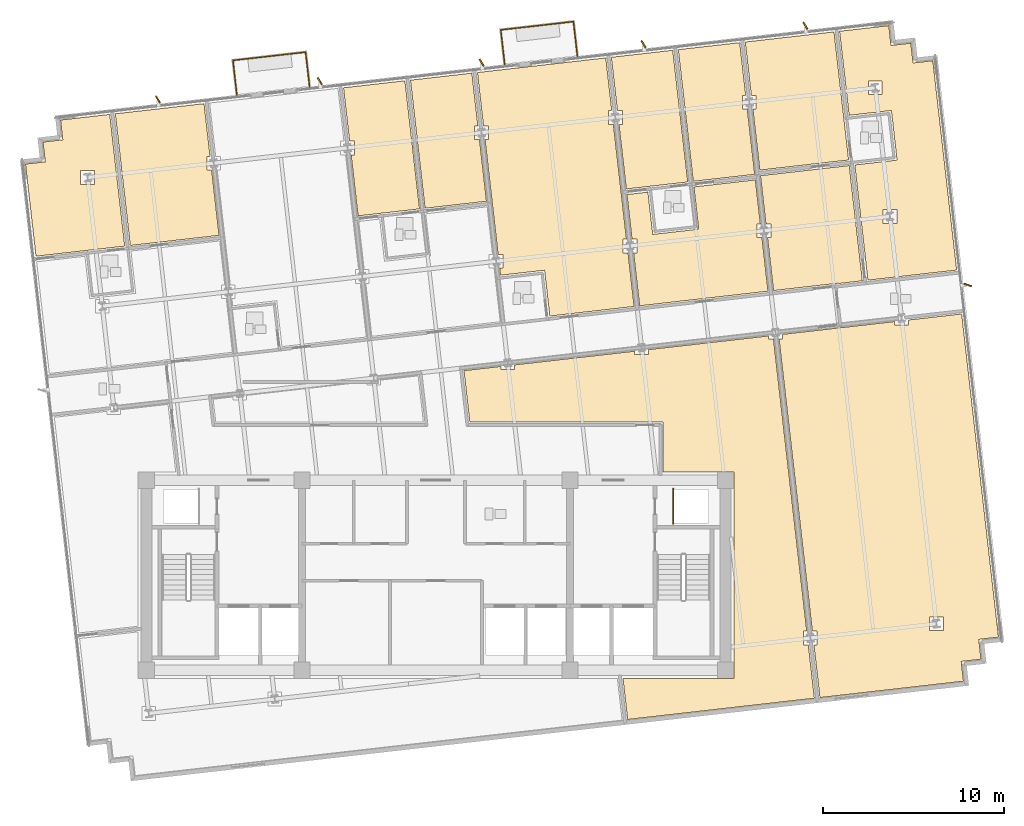
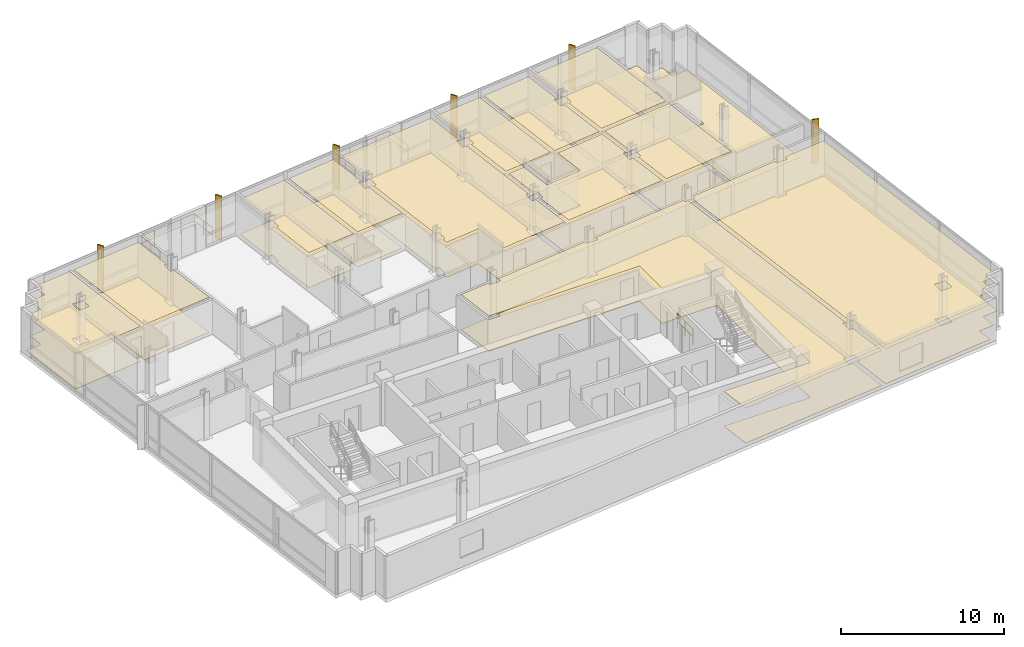
# One storey, part 15 of 17: 25 coverings, 7 railings, 6 shading devices.
"""IFC4 building model written with IfcOpenShell, lengths in metres."""

from ifc_helpers import new_model, si_unit, direction, frame, origin, origin_2d, place, context, subcontext, project, spatial, polyline, rectangle, circle, outline, extrude, material, layer, layer_set, type_object, element, save


model = new_model("IFC4")

# Units and contexts
model_context = context("Model", 3, precision=1e-05, world=origin(), true_north=direction((0.0, 1.0)))
body_context = subcontext(model_context, "Body", "Model", "MODEL_VIEW")
ifc_project = project(units=[si_unit("LENGTHUNIT", "METRE"), si_unit("AREAUNIT", "SQUARE_METRE"), si_unit("VOLUMEUNIT", "CUBIC_METRE"), si_unit("PLANEANGLEUNIT", "RADIAN"), si_unit("MASSUNIT", "GRAM", prefix="KILO")], contexts=[model_context])

# Site, building, storey
site_placement = place(None, origin())
site = spatial("IfcSite", under=ifc_project, at=site_placement, CompositionType="ELEMENT")
building_placement = place(site_placement, origin())
building = spatial("IfcBuilding", under=site, at=building_placement, Name="Solmavex Isthmus Hotel", CompositionType="ELEMENT")
storey_placement = place(building_placement, frame((0.0, 0.0, 195.14990234375)))
storey = spatial("IfcBuildingStorey", under=building, at=storey_placement, Name="L52", CompositionType="ELEMENT", Elevation=195.14990234375)

# Coverings
ifc_material_1 = material(Name="Gypsum plasterboard lining", Category="gypsum")
ifc_layer_1 = layer(ifc_material_1, 0.030029296875)
ifc_layer_set_1 = layer_set([ifc_layer_1], Name="Gypsum plasterboard lining")
covering_type_1 = type_object("IfcCoveringType", Name="COV-CEIL-GYP", PredefinedType="CEILING", material=ifc_layer_set_1)
covering_1_placement = place(storey_placement, frame((0.0, 0.0, 2.6201171875)))
element("IfcCovering", 1, at=covering_1_placement, inside=storey, type_object=covering_type_1, Name="Suspended Acoustic Ceiling L52-HB01", PredefinedType="CEILING", context=body_context, shape_type="SweptSolid", body=[
    extrude(outline(polyline([(-22.677001953125, 14.966552734375), (-22.58349609375, 14.146728515625), (-22.09716796875, 9.87744140625), (-17.19482421875, 10.435791015625), (-18.023681640625, 17.7109375), (-19.92041015625, 17.49462890625), (-20.740234375, 17.4013671875), (-20.615478515625, 16.308349609375), (-21.70849609375, 16.183837890625), (-21.583984375, 15.091064453125), (-22.677001953125, 14.966552734375)]), holes=[polyline([(-19.6259765625, 13.844970703125), (-19.6259765625, 14.60498046875), (-18.865966796875, 14.60498046875), (-18.865966796875, 13.844970703125), (-19.6259765625, 13.844970703125)])]), origin(), (0.0, 0.0, 1.0), 0.030029296875),
])
covering_2_placement = place(storey_placement, frame((0.0, 0.0, 2.6201171875)))
element("IfcCovering", 2, at=covering_2_placement, inside=storey, type_object=covering_type_1, Name="Suspended Acoustic Ceiling L52-HP01", PredefinedType="CEILING", context=body_context, shape_type="SweptSolid", body=[
    extrude(outline(polyline([(-12.395751953125, 14.638427734375), (-12.6630859375, 14.638427734375), (-12.6630859375, 15.3984375), (-12.482421875, 15.3984375), (-12.8134765625, 18.304443359375), (-17.715576171875, 17.745849609375), (-16.88671875, 10.470947265625), (-11.984619140625, 11.029541015625), (-12.395751953125, 14.638427734375)])), origin(), (0.0, 0.0, 1.0), 0.030029296875),
])
covering_3_placement = place(storey_placement, frame((0.0, 0.0, 2.6201171875)))
element("IfcCovering", 3, at=covering_3_placement, inside=storey, type_object=covering_type_1, Name="Suspended Acoustic Ceiling L52-TB03", PredefinedType="CEILING", context=body_context, shape_type="SweptSolid", body=[
    extrude(outline(polyline([(-4.772216796875, 16.2412109375), (-4.5048828125, 16.2412109375), (-4.5048828125, 15.481201171875), (-4.685546875, 15.481201171875), (-4.301025390625, 12.106201171875), (-0.909912109375, 12.49267578125), (-1.71630859375, 19.56884765625), (-5.107177734375, 19.182373046875), (-4.772216796875, 16.2412109375)])), origin(), (0.0, 0.0, 1.0), 0.030029296875),
])
covering_4_placement = place(storey_placement, frame((0.0, 0.0, 2.6201171875)))
element("IfcCovering", 4, at=covering_4_placement, inside=storey, type_object=covering_type_1, Name="Suspended Acoustic Ceiling L52-TL03", PredefinedType="CEILING", context=body_context, shape_type="SweptSolid", body=[
    extrude(outline(polyline([(2.400634765625, 16.32421875), (2.13330078125, 16.32421875), (2.13330078125, 17.084228515625), (2.31396484375, 17.084228515625), (1.98291015625, 19.990234375), (-1.408203125, 19.60400390625), (-0.60205078125, 12.52783203125), (2.7890625, 12.9140625), (2.400634765625, 16.32421875)])), origin(), (0.0, 0.0, 1.0), 0.030029296875),
])
covering_5_placement = place(storey_placement, frame((0.0, 0.0, 2.6201171875)))
element("IfcCovering", 5, at=covering_5_placement, inside=storey, type_object=covering_type_1, Name="Suspended Acoustic Ceiling L52-RM04", PredefinedType="CEILING", context=body_context, shape_type="SweptSolid", body=[
    extrude(outline(polyline([(3.435546875, 9.978271484375), (3.702880859375, 9.978271484375), (3.702880859375, 9.21826171875), (3.522216796875, 9.21826171875), (3.566650390625, 8.827880859375), (6.0009765625, 9.105224609375), (6.28955078125, 6.571533203125), (10.945556640625, 7.10205078125), (10.6083984375, 10.06103515625), (10.341064453125, 10.06103515625), (10.341064453125, 10.821044921875), (10.521728515625, 10.821044921875), (9.798583984375, 17.167236328125), (9.531494140625, 17.167236328125), (9.531494140625, 17.92724609375), (9.712158203125, 17.92724609375), (9.381103515625, 20.833251953125), (2.290771484375, 20.025390625), (2.6259765625, 17.084228515625), (2.893310546875, 17.084228515625), (2.893310546875, 16.32421875), (2.712646484375, 16.32421875), (3.435546875, 9.978271484375)])), origin(), (0.0, 0.0, 1.0), 0.030029296875),
])
covering_6_placement = place(storey_placement, frame((0.0, 0.0, 2.6201171875)))
element("IfcCovering", 6, at=covering_6_placement, inside=storey, type_object=covering_type_1, Name="Suspended Acoustic Ceiling L52-SH05-LV", PredefinedType="CEILING", context=body_context, shape_type="SweptSolid", body=[
    extrude(outline(polyline([(18.006591796875, 10.904052734375), (17.7392578125, 10.904052734375), (17.7392578125, 11.6640625), (17.919921875, 11.6640625), (17.64306640625, 14.09326171875), (14.251953125, 13.706787109375), (14.51806640625, 11.371826171875), (11.974609375, 11.08203125), (11.70849609375, 13.4169921875), (10.552978515625, 13.285400390625), (10.833740234375, 10.821044921875), (11.10107421875, 10.821044921875), (11.10107421875, 10.06103515625), (10.92041015625, 10.06103515625), (11.25341796875, 7.13720703125), (18.343505859375, 7.945068359375), (18.006591796875, 10.904052734375)])), origin(), (0.0, 0.0, 1.0), 0.030029296875),
])
covering_7_placement = place(storey_placement, frame((0.0, 0.0, 2.6201171875)))
element("IfcCovering", 7, at=covering_7_placement, inside=storey, type_object=covering_type_1, Name="Suspended Acoustic Ceiling L52-HB05", PredefinedType="CEILING", context=body_context, shape_type="SweptSolid", body=[
    extrude(outline(polyline([(10.024169921875, 17.92724609375), (10.29150390625, 17.92724609375), (10.29150390625, 17.167236328125), (10.110595703125, 17.167236328125), (10.517822265625, 13.59326171875), (13.908935546875, 13.979736328125), (13.080078125, 21.254638671875), (9.68896484375, 20.868408203125), (10.024169921875, 17.92724609375)])), origin(), (0.0, 0.0, 1.0), 0.030029296875),
])
covering_8_placement = place(storey_placement, frame((0.0, 0.0, 2.6201171875)))
element("IfcCovering", 8, at=covering_8_placement, inside=storey, type_object=covering_type_1, Name="Suspended Acoustic Ceiling L52-HP05", PredefinedType="CEILING", context=body_context, shape_type="SweptSolid", body=[
    extrude(outline(polyline([(17.19677734375, 18.010009765625), (16.929443359375, 18.010009765625), (16.929443359375, 18.77001953125), (17.1103515625, 18.77001953125), (16.779052734375, 21.676025390625), (13.38818359375, 21.289794921875), (14.217041015625, 14.014892578125), (17.60791015625, 14.401123046875), (17.19677734375, 18.010009765625)])), origin(), (0.0, 0.0, 1.0), 0.030029296875),
])
covering_9_placement = place(storey_placement, frame((0.0, 0.0, 2.6201171875)))
element("IfcCovering", 9, at=covering_9_placement, inside=storey, type_object=covering_type_1, Name="Suspended Acoustic Ceiling L52-SL06-FY", PredefinedType="CEILING", context=body_context, shape_type="SweptSolid", body=[
    extrude(outline(polyline([(18.23193359375, 11.6640625), (18.499267578125, 11.6640625), (18.499267578125, 10.904052734375), (18.318359375, 10.904052734375), (18.651611328125, 7.97998046875), (22.228515625, 8.3876953125), (22.230712890625, 8.36767578125), (23.55615234375, 8.518798828125), (22.830810546875, 14.885498046875), (17.928466796875, 14.326904296875), (18.17626953125, 12.15185546875), (18.23193359375, 11.6640625)])), origin(), (0.0, 0.0, 1.0), 0.030029296875),
])
covering_10_placement = place(storey_placement, frame((0.0, 0.0, 2.6201171875)))
element("IfcCovering", 10, at=covering_10_placement, inside=storey, type_object=covering_type_1, Name="Suspended Acoustic Ceiling L52-SL06-BD", PredefinedType="CEILING", context=body_context, shape_type="SweptSolid", body=[
    extrude(outline(polyline([(17.42236328125, 18.77001953125), (17.689453125, 18.77001953125), (17.689453125, 18.010009765625), (17.5087890625, 18.010009765625), (17.893310546875, 14.635009765625), (22.795654296875, 15.193603515625), (21.989501953125, 22.269775390625), (17.087158203125, 21.711181640625), (17.42236328125, 18.77001953125)])), origin(), (0.0, 0.0, 1.0), 0.030029296875),
])
covering_11_placement = place(storey_placement, frame((0.0, 0.0, 2.6201171875)))
element("IfcCovering", 11, at=covering_11_placement, inside=storey, type_object=covering_type_1, Name="Suspended Acoustic Ceiling L52-FL12", PredefinedType="CEILING", context=body_context, shape_type="SweptSolid", body=[
    extrude(outline(polyline([(4.34228515625, 3.873779296875), (4.34228515625, 3.6064453125), (3.582275390625, 3.6064453125), (3.582275390625, 3.787109375), (1.547607421875, 3.555419921875), (1.872314453125, 0.705078125), (12.554931640625, 0.705078125), (12.554931640625, -2.044921875), (16.455078125, -2.044921875), (16.455078125, -13.455078125), (10.332763671875, -13.455078125), (10.590087890625, -15.71484375), (17.361328125, -14.943359375), (20.905517578125, -14.53955078125), (20.5703125, -11.598388671875), (20.302978515625, -11.598388671875), (20.302978515625, -10.83837890625), (20.483642578125, -10.83837890625), (18.645751953125, 5.292236328125), (18.378662109375, 5.292236328125), (18.378662109375, 5.472900390625), (11.740478515625, 4.716796875), (11.740478515625, 4.449462890625), (10.98046875, 4.449462890625), (10.98046875, 4.630126953125), (4.34228515625, 3.873779296875)])), origin(), (0.0, 0.0, 1.0), 0.030029296875),
])
covering_12_placement = place(storey_placement, frame((0.0, 0.0, 2.6201171875)))
element("IfcCovering", 12, at=covering_12_placement, inside=storey, type_object=covering_type_1, Name="Suspended Acoustic Ceiling L52-FL13", PredefinedType="CEILING", context=body_context, shape_type="SweptSolid", body=[
    extrude(outline(polyline([(20.795654296875, -10.83837890625), (21.06298828125, -10.83837890625), (21.06298828125, -11.598388671875), (20.88232421875, -11.598388671875), (21.21337890625, -14.50439453125), (28.3203125, -13.69482421875), (29.14013671875, -13.601318359375), (29.015625, -12.50830078125), (30.108642578125, -12.3837890625), (29.98388671875, -11.291015625), (31.076904296875, -11.16650390625), (30.983642578125, -10.3466796875), (29.042724609375, 6.68798828125), (26.1015625, 6.35302734375), (26.1015625, 6.085693359375), (25.341552734375, 6.085693359375), (25.341552734375, 6.266357421875), (19.138427734375, 5.5595703125), (19.138427734375, 5.292236328125), (18.957763671875, 5.292236328125), (20.795654296875, -10.83837890625)]), holes=[polyline([(27.265869140625, -10.80517578125), (27.265869140625, -10.045166015625), (28.02587890625, -10.045166015625), (28.02587890625, -10.80517578125), (27.265869140625, -10.80517578125)])]), origin(), (0.0, 0.0, 1.0), 0.030029296875),
])
ifc_material_2 = material(Name="Travertine natural stone", Category="masonry")
ifc_layer_2 = layer(ifc_material_2, 0.02490234375)
ifc_layer_set_2 = layer_set([ifc_layer_2], Name="Travertine natural stone")
covering_type_2 = type_object("IfcCoveringType", Name="COV-FLOR-STN", PredefinedType="FLOORING", material=ifc_layer_set_2)
covering_13_placement = place(storey_placement, origin())
element("IfcCovering", 13, at=covering_13_placement, inside=storey, type_object=covering_type_2, Name="Stone and Timber Floor Finish L52-HB01", PredefinedType="FLOORING", context=body_context, shape_type="SweptSolid", body=[
    extrude(outline(polyline([(-22.677001953125, 14.966552734375), (-22.58349609375, 14.146728515625), (-22.09716796875, 9.87744140625), (-17.19482421875, 10.435791015625), (-18.023681640625, 17.7109375), (-19.92041015625, 17.49462890625), (-20.740234375, 17.4013671875), (-20.615478515625, 16.308349609375), (-21.70849609375, 16.183837890625), (-21.583984375, 15.091064453125), (-22.677001953125, 14.966552734375)]), holes=[polyline([(-19.6259765625, 13.844970703125), (-19.6259765625, 14.60498046875), (-18.865966796875, 14.60498046875), (-18.865966796875, 13.844970703125), (-19.6259765625, 13.844970703125)])]), origin(), (0.0, 0.0, 1.0), 0.025146484375),
])
covering_14_placement = place(storey_placement, origin())
element("IfcCovering", 14, at=covering_14_placement, inside=storey, type_object=covering_type_2, Name="Stone and Timber Floor Finish L52-HP01", PredefinedType="FLOORING", context=body_context, shape_type="SweptSolid", body=[
    extrude(outline(polyline([(-12.395751953125, 14.638427734375), (-12.6630859375, 14.638427734375), (-12.6630859375, 15.3984375), (-12.482421875, 15.3984375), (-12.8134765625, 18.304443359375), (-17.715576171875, 17.745849609375), (-16.88671875, 10.470947265625), (-11.984619140625, 11.029541015625), (-12.395751953125, 14.638427734375)])), origin(), (0.0, 0.0, 1.0), 0.025146484375),
])
covering_15_placement = place(storey_placement, origin())
element("IfcCovering", 15, at=covering_15_placement, inside=storey, type_object=covering_type_2, Name="Stone and Timber Floor Finish L52-TB03", PredefinedType="FLOORING", context=body_context, shape_type="SweptSolid", body=[
    extrude(outline(polyline([(-4.772216796875, 16.2412109375), (-4.5048828125, 16.2412109375), (-4.5048828125, 15.481201171875), (-4.685546875, 15.481201171875), (-4.301025390625, 12.106201171875), (-0.909912109375, 12.49267578125), (-1.71630859375, 19.56884765625), (-5.107177734375, 19.182373046875), (-4.772216796875, 16.2412109375)])), origin(), (0.0, 0.0, 1.0), 0.025146484375),
])
covering_16_placement = place(storey_placement, origin())
element("IfcCovering", 16, at=covering_16_placement, inside=storey, type_object=covering_type_2, Name="Stone and Timber Floor Finish L52-TL03", PredefinedType="FLOORING", context=body_context, shape_type="SweptSolid", body=[
    extrude(outline(polyline([(2.400634765625, 16.32421875), (2.13330078125, 16.32421875), (2.13330078125, 17.084228515625), (2.31396484375, 17.084228515625), (1.98291015625, 19.990234375), (-1.408203125, 19.60400390625), (-0.60205078125, 12.52783203125), (2.7890625, 12.9140625), (2.400634765625, 16.32421875)])), origin(), (0.0, 0.0, 1.0), 0.025146484375),
])
covering_17_placement = place(storey_placement, origin())
element("IfcCovering", 17, at=covering_17_placement, inside=storey, type_object=covering_type_2, Name="Stone and Timber Floor Finish L52-RM04", PredefinedType="FLOORING", context=body_context, shape_type="SweptSolid", body=[
    extrude(outline(polyline([(3.435546875, 9.978271484375), (3.702880859375, 9.978271484375), (3.702880859375, 9.21826171875), (3.522216796875, 9.21826171875), (3.566650390625, 8.827880859375), (6.0009765625, 9.105224609375), (6.28955078125, 6.571533203125), (10.945556640625, 7.10205078125), (10.6083984375, 10.06103515625), (10.341064453125, 10.06103515625), (10.341064453125, 10.821044921875), (10.521728515625, 10.821044921875), (9.798583984375, 17.167236328125), (9.531494140625, 17.167236328125), (9.531494140625, 17.92724609375), (9.712158203125, 17.92724609375), (9.381103515625, 20.833251953125), (2.290771484375, 20.025390625), (2.6259765625, 17.084228515625), (2.893310546875, 17.084228515625), (2.893310546875, 16.32421875), (2.712646484375, 16.32421875), (3.435546875, 9.978271484375)])), origin(), (0.0, 0.0, 1.0), 0.025146484375),
])
covering_18_placement = place(storey_placement, origin())
element("IfcCovering", 18, at=covering_18_placement, inside=storey, type_object=covering_type_2, Name="Stone and Timber Floor Finish L52-SH05-LV", PredefinedType="FLOORING", context=body_context, shape_type="SweptSolid", body=[
    extrude(outline(polyline([(18.006591796875, 10.904052734375), (17.7392578125, 10.904052734375), (17.7392578125, 11.6640625), (17.919921875, 11.6640625), (17.64306640625, 14.09326171875), (14.251953125, 13.706787109375), (14.51806640625, 11.371826171875), (11.974609375, 11.08203125), (11.70849609375, 13.4169921875), (10.552978515625, 13.285400390625), (10.833740234375, 10.821044921875), (11.10107421875, 10.821044921875), (11.10107421875, 10.06103515625), (10.92041015625, 10.06103515625), (11.25341796875, 7.13720703125), (18.343505859375, 7.945068359375), (18.006591796875, 10.904052734375)])), origin(), (0.0, 0.0, 1.0), 0.025146484375),
])
covering_19_placement = place(storey_placement, origin())
element("IfcCovering", 19, at=covering_19_placement, inside=storey, type_object=covering_type_2, Name="Stone and Timber Floor Finish L52-HB05", PredefinedType="FLOORING", context=body_context, shape_type="SweptSolid", body=[
    extrude(outline(polyline([(10.024169921875, 17.92724609375), (10.29150390625, 17.92724609375), (10.29150390625, 17.167236328125), (10.110595703125, 17.167236328125), (10.517822265625, 13.59326171875), (13.908935546875, 13.979736328125), (13.080078125, 21.254638671875), (9.68896484375, 20.868408203125), (10.024169921875, 17.92724609375)])), origin(), (0.0, 0.0, 1.0), 0.025146484375),
])
covering_20_placement = place(storey_placement, origin())
element("IfcCovering", 20, at=covering_20_placement, inside=storey, type_object=covering_type_2, Name="Stone and Timber Floor Finish L52-HP05", PredefinedType="FLOORING", context=body_context, shape_type="SweptSolid", body=[
    extrude(outline(polyline([(17.19677734375, 18.010009765625), (16.929443359375, 18.010009765625), (16.929443359375, 18.77001953125), (17.1103515625, 18.77001953125), (16.779052734375, 21.676025390625), (13.38818359375, 21.289794921875), (14.217041015625, 14.014892578125), (17.60791015625, 14.401123046875), (17.19677734375, 18.010009765625)])), origin(), (0.0, 0.0, 1.0), 0.025146484375),
])
covering_21_placement = place(storey_placement, origin())
element("IfcCovering", 21, at=covering_21_placement, inside=storey, type_object=covering_type_2, Name="Stone and Timber Floor Finish L52-SL06-FY", PredefinedType="FLOORING", context=body_context, shape_type="SweptSolid", body=[
    extrude(outline(polyline([(18.23193359375, 11.6640625), (18.499267578125, 11.6640625), (18.499267578125, 10.904052734375), (18.318359375, 10.904052734375), (18.651611328125, 7.97998046875), (22.228515625, 8.3876953125), (22.230712890625, 8.36767578125), (23.55615234375, 8.518798828125), (22.830810546875, 14.885498046875), (17.928466796875, 14.326904296875), (18.17626953125, 12.15185546875), (18.23193359375, 11.6640625)])), origin(), (0.0, 0.0, 1.0), 0.025146484375),
])
covering_22_placement = place(storey_placement, origin())
element("IfcCovering", 22, at=covering_22_placement, inside=storey, type_object=covering_type_2, Name="Stone and Timber Floor Finish L52-SL06-BD", PredefinedType="FLOORING", context=body_context, shape_type="SweptSolid", body=[
    extrude(outline(polyline([(17.42236328125, 18.77001953125), (17.689453125, 18.77001953125), (17.689453125, 18.010009765625), (17.5087890625, 18.010009765625), (17.893310546875, 14.635009765625), (22.795654296875, 15.193603515625), (21.989501953125, 22.269775390625), (17.087158203125, 21.711181640625), (17.42236328125, 18.77001953125)])), origin(), (0.0, 0.0, 1.0), 0.025146484375),
])
covering_23_placement = place(storey_placement, origin())
element("IfcCovering", 23, at=covering_23_placement, inside=storey, type_object=covering_type_2, Name="Stone and Timber Floor Finish L52-SV06", PredefinedType="FLOORING", context=body_context, shape_type="SweptSolid", body=[
    extrude(outline(polyline([(25.138427734375, 21.521484375), (25.013916015625, 22.6142578125), (24.194091796875, 22.52099609375), (22.29736328125, 22.304931640625), (22.826416015625, 17.662841796875), (25.1611328125, 17.928955078125), (25.4736328125, 15.186767578125), (23.138671875, 14.920654296875), (23.8642578125, 8.5537109375), (28.766357421875, 9.1123046875), (27.542236328125, 19.85791015625), (27.44873046875, 20.677490234375), (26.35595703125, 20.552978515625), (26.231201171875, 21.64599609375), (25.138427734375, 21.521484375)]), holes=[polyline([(24.7021484375, 11.697265625), (24.7021484375, 12.457275390625), (25.462158203125, 12.457275390625), (25.462158203125, 11.697265625), (24.7021484375, 11.697265625)]), polyline([(23.892578125, 19.5634765625), (24.652587890625, 19.5634765625), (24.652587890625, 18.803466796875), (23.892578125, 18.803466796875), (23.892578125, 19.5634765625)])]), origin(), (0.0, 0.0, 1.0), 0.025146484375),
])
covering_24_placement = place(storey_placement, origin())
element("IfcCovering", 24, at=covering_24_placement, inside=storey, type_object=covering_type_2, Name="Stone and Timber Floor Finish L52-FL12", PredefinedType="FLOORING", context=body_context, shape_type="SweptSolid", body=[
    extrude(outline(polyline([(4.34228515625, 3.873779296875), (4.34228515625, 3.6064453125), (3.582275390625, 3.6064453125), (3.582275390625, 3.787109375), (1.547607421875, 3.555419921875), (1.872314453125, 0.705078125), (12.554931640625, 0.705078125), (12.554931640625, -2.044921875), (16.455078125, -2.044921875), (16.455078125, -13.455078125), (10.332763671875, -13.455078125), (10.590087890625, -15.71484375), (17.361328125, -14.943359375), (20.905517578125, -14.53955078125), (20.5703125, -11.598388671875), (20.302978515625, -11.598388671875), (20.302978515625, -10.83837890625), (20.483642578125, -10.83837890625), (18.645751953125, 5.292236328125), (18.378662109375, 5.292236328125), (18.378662109375, 5.472900390625), (11.740478515625, 4.716796875), (11.740478515625, 4.449462890625), (10.98046875, 4.449462890625), (10.98046875, 4.630126953125), (4.34228515625, 3.873779296875)])), origin(), (0.0, 0.0, 1.0), 0.025146484375),
])
covering_25_placement = place(storey_placement, origin())
element("IfcCovering", 25, at=covering_25_placement, inside=storey, type_object=covering_type_2, Name="Stone and Timber Floor Finish L52-FL13", PredefinedType="FLOORING", context=body_context, shape_type="SweptSolid", body=[
    extrude(outline(polyline([(20.795654296875, -10.83837890625), (21.06298828125, -10.83837890625), (21.06298828125, -11.598388671875), (20.88232421875, -11.598388671875), (21.21337890625, -14.50439453125), (28.3203125, -13.69482421875), (29.14013671875, -13.601318359375), (29.015625, -12.50830078125), (30.108642578125, -12.3837890625), (29.98388671875, -11.291015625), (31.076904296875, -11.16650390625), (30.983642578125, -10.3466796875), (29.042724609375, 6.68798828125), (26.1015625, 6.35302734375), (26.1015625, 6.085693359375), (25.341552734375, 6.085693359375), (25.341552734375, 6.266357421875), (19.138427734375, 5.5595703125), (19.138427734375, 5.292236328125), (18.957763671875, 5.292236328125), (20.795654296875, -10.83837890625)]), holes=[polyline([(27.265869140625, -10.80517578125), (27.265869140625, -10.045166015625), (28.02587890625, -10.045166015625), (28.02587890625, -10.80517578125), (27.265869140625, -10.80517578125)])]), origin(), (0.0, 0.0, 1.0), 0.025146484375),
])

# Railings
ifc_material_3 = material(Name="Clear low-E laminated glass", Category="glass")
ifc_layer_3 = layer(ifc_material_3, 0.080078125)
ifc_layer_set_3 = layer_set([ifc_layer_3], Name="Clear low-E laminated glass")
railing_type_1 = type_object("IfcRailingType", Name="RAIL-ATRIUM-1120", PredefinedType="BALUSTRADE", material=ifc_layer_set_3)
railing_1_placement = place(storey_placement, frame((13.10009765625, -4.89990234375, 0.0)))
element("IfcRailing", 26, at=railing_1_placement, inside=storey, type_object=railing_type_1, Name="Guardrail Balustrade L52-RSE-01", PredefinedType="BALUSTRADE", context=body_context, shape_type="SweptSolid", body=[
    extrude(circle(Radius=0.02392578125, at=origin_2d()), frame((0.0, 0.0, 1.1259765625), z_axis=(0.0, 1.0, 0.0), x_axis=(-1.0, 0.0, 0.0)), (0.0, 0.0, 1.0), 1.949951171875),
    extrude(circle(Radius=0.02392578125, at=origin_2d()), frame((0.0, 0.0, 0.574951171875), z_axis=(0.0, 1.0, 0.0), x_axis=(-1.0, 0.0, 0.0)), (0.0, 0.0, 1.0), 1.949951171875),
    extrude(circle(Radius=0.02099609375, at=origin_2d()), origin(), (0.0, 0.0, 1.0), 1.101806640625),
    extrude(circle(Radius=0.02099609375, at=origin_2d()), frame((0.0, 0.97509765625, 0.0)), (0.0, 0.0, 1.0), 1.101806640625),
    extrude(circle(Radius=0.02099609375, at=origin_2d()), frame((0.0, 1.949951171875, 0.0)), (0.0, 0.0, 1.0), 1.101806640625),
])
ifc_layer_4 = layer(ifc_material_3, 0.070068359375)
ifc_layer_set_4 = layer_set([ifc_layer_4], Name="Clear low-E laminated glass")
railing_type_2 = type_object("IfcRailingType", Name="RAIL-GUARD-1100", PredefinedType="BALUSTRADE", material=ifc_layer_set_4)
railing_2_placement = place(storey_placement, frame((-10.99853515625, 18.7880859375, 0.0)))
element("IfcRailing", 27, at=railing_2_placement, inside=storey, type_object=railing_type_2, Name="Guardrail Balustrade L52-BAL1-01", PredefinedType="BALUSTRADE", context=body_context, shape_type="SweptSolid", body=[
    extrude(circle(Radius=0.02392578125, at=origin_2d()), frame((0.0, 0.0, 1.09619140625), z_axis=(-0.113166454875, 0.993576043135, 0.0), x_axis=(-0.993576043135, -0.113166454875, 0.0)), (0.0, 0.0, 1.0), 1.920166015625),
    extrude(circle(Radius=0.02392578125, at=origin_2d()), frame((0.0, 0.0, 0.56005859375), z_axis=(-0.113166454875, 0.993576043135, 0.0), x_axis=(-0.993576043135, -0.113166454875, 0.0)), (0.0, 0.0, 1.0), 1.920166015625),
    extrude(circle(Radius=0.02099609375, at=origin_2d()), origin(), (0.0, 0.0, 1.0), 1.072021484375),
    extrude(circle(Radius=0.02099609375, at=origin_2d()), frame((-0.108642578125, 0.953857421875, 0.0)), (0.0, 0.0, 1.0), 1.072021484375),
    extrude(circle(Radius=0.02099609375, at=origin_2d()), frame((-0.21728515625, 1.90771484375, 0.0)), (0.0, 0.0, 1.0), 1.072021484375),
])
railing_3_placement = place(storey_placement, frame((-11.2158203125, 20.69580078125, 0.0)))
element("IfcRailing", 28, at=railing_3_placement, inside=storey, type_object=railing_type_2, Name="Guardrail Balustrade L52-BAL1-02", PredefinedType="BALUSTRADE", context=body_context, shape_type="SweptSolid", body=[
    extrude(circle(Radius=0.02392578125, at=origin_2d()), frame((0.0, 0.0, 1.09619140625), z_axis=(0.993573319275, 0.113190367192, 0.0), x_axis=(-0.113190367192, 0.993573319275, 0.0)), (0.0, 0.0, 1.0), 4.039794921875),
    extrude(circle(Radius=0.02392578125, at=origin_2d()), frame((0.0, 0.0, 0.56005859375), z_axis=(0.993573319275, 0.113190367192, 0.0), x_axis=(-0.113190367192, 0.993573319275, 0.0)), (0.0, 0.0, 1.0), 4.039794921875),
    extrude(circle(Radius=0.02099609375, at=origin_2d()), origin(), (0.0, 0.0, 1.0), 1.072021484375),
    extrude(circle(Radius=0.02099609375, at=origin_2d()), frame((1.00341796875, 0.1142578125, 0.0)), (0.0, 0.0, 1.0), 1.072021484375),
    extrude(circle(Radius=0.02099609375, at=origin_2d()), frame((2.0068359375, 0.228515625, 0.0)), (0.0, 0.0, 1.0), 1.072021484375),
    extrude(circle(Radius=0.02099609375, at=origin_2d()), frame((3.010498046875, 0.343017578125, 0.0)), (0.0, 0.0, 1.0), 1.072021484375),
    extrude(circle(Radius=0.02099609375, at=origin_2d()), frame((4.013916015625, 0.457275390625, 0.0)), (0.0, 0.0, 1.0), 1.072021484375),
])
railing_4_placement = place(storey_placement, frame((-7.201904296875, 21.153076171875, 0.0)))
element("IfcRailing", 29, at=railing_4_placement, inside=storey, type_object=railing_type_2, Name="Guardrail Balustrade L52-BAL1-03", PredefinedType="BALUSTRADE", context=body_context, shape_type="SweptSolid", body=[
    extrude(circle(Radius=0.02392578125, at=origin_2d()), frame((0.0, 0.0, 1.09619140625), z_axis=(0.113291977077, -0.993561738359, 0.0), x_axis=(0.993561738359, 0.113291977077, 0.0)), (0.0, 0.0, 1.0), 1.920166015625),
    extrude(circle(Radius=0.02392578125, at=origin_2d()), frame((0.0, 0.0, 0.56005859375), z_axis=(0.113291977077, -0.993561738359, 0.0), x_axis=(0.993561738359, 0.113291977077, 0.0)), (0.0, 0.0, 1.0), 1.920166015625),
    extrude(circle(Radius=0.02099609375, at=origin_2d()), origin(), (0.0, 0.0, 1.0), 1.072021484375),
    extrude(circle(Radius=0.02099609375, at=origin_2d()), frame((0.10888671875, -0.953857421875, 0.0)), (0.0, 0.0, 1.0), 1.072021484375),
    extrude(circle(Radius=0.02099609375, at=origin_2d()), frame((0.217529296875, -1.90771484375, 0.0)), (0.0, 0.0, 1.0), 1.072021484375),
])
railing_5_placement = place(storey_placement, frame((3.7978515625, 20.473876953125, 0.0)))
element("IfcRailing", 30, at=railing_5_placement, inside=storey, type_object=railing_type_2, Name="Guardrail Balustrade L52-BAL2-01", PredefinedType="BALUSTRADE", context=body_context, shape_type="SweptSolid", body=[
    extrude(circle(Radius=0.02392578125, at=origin_2d()), frame((0.0, 0.0, 1.09619140625), z_axis=(-0.113291977077, 0.993561738359, 0.0), x_axis=(-0.993561738359, -0.113291977077, 0.0)), (0.0, 0.0, 1.0), 1.920166015625),
    extrude(circle(Radius=0.02392578125, at=origin_2d()), frame((0.0, 0.0, 0.56005859375), z_axis=(-0.113291977077, 0.993561738359, 0.0), x_axis=(-0.993561738359, -0.113291977077, 0.0)), (0.0, 0.0, 1.0), 1.920166015625),
    extrude(circle(Radius=0.02099609375, at=origin_2d()), origin(), (0.0, 0.0, 1.0), 1.072021484375),
    extrude(circle(Radius=0.02099609375, at=origin_2d()), frame((-0.10888671875, 0.953857421875, 0.0)), (0.0, 0.0, 1.0), 1.072021484375),
    extrude(circle(Radius=0.02099609375, at=origin_2d()), frame((-0.217529296875, 1.90771484375, 0.0)), (0.0, 0.0, 1.0), 1.072021484375),
])
railing_6_placement = place(storey_placement, frame((3.580322265625, 22.381591796875, 0.0)))
element("IfcRailing", 31, at=railing_6_placement, inside=storey, type_object=railing_type_2, Name="Guardrail Balustrade L52-BAL2-02", PredefinedType="BALUSTRADE", context=body_context, shape_type="SweptSolid", body=[
    extrude(circle(Radius=0.02392578125, at=origin_2d()), frame((0.0, 0.0, 1.09619140625), z_axis=(0.993574093472, 0.113183571164, 0.0), x_axis=(-0.113183571164, 0.993574093472, 0.0)), (0.0, 0.0, 1.0), 4.0400390625),
    extrude(circle(Radius=0.02392578125, at=origin_2d()), frame((0.0, 0.0, 0.56005859375), z_axis=(0.993574093472, 0.113183571164, 0.0), x_axis=(-0.113183571164, 0.993574093472, 0.0)), (0.0, 0.0, 1.0), 4.0400390625),
    extrude(circle(Radius=0.02099609375, at=origin_2d()), origin(), (0.0, 0.0, 1.0), 1.072021484375),
    extrude(circle(Radius=0.02099609375, at=origin_2d()), frame((1.00341796875, 0.1142578125, 0.0)), (0.0, 0.0, 1.0), 1.072021484375),
    extrude(circle(Radius=0.02099609375, at=origin_2d()), frame((2.007080078125, 0.228515625, 0.0)), (0.0, 0.0, 1.0), 1.072021484375),
    extrude(circle(Radius=0.02099609375, at=origin_2d()), frame((3.0107421875, 0.343017578125, 0.0)), (0.0, 0.0, 1.0), 1.072021484375),
    extrude(circle(Radius=0.02099609375, at=origin_2d()), frame((4.01416015625, 0.457275390625, 0.0)), (0.0, 0.0, 1.0), 1.072021484375),
])
railing_7_placement = place(storey_placement, frame((7.594482421875, 22.8388671875, 0.0)))
element("IfcRailing", 32, at=railing_7_placement, inside=storey, type_object=railing_type_2, Name="Guardrail Balustrade L52-BAL2-03", PredefinedType="BALUSTRADE", context=body_context, shape_type="SweptSolid", body=[
    extrude(circle(Radius=0.02392578125, at=origin_2d()), frame((0.0, 0.0, 1.09619140625), z_axis=(0.113166454875, -0.993576043135, 0.0), x_axis=(0.993576043135, 0.113166454875, 0.0)), (0.0, 0.0, 1.0), 1.920166015625),
    extrude(circle(Radius=0.02392578125, at=origin_2d()), frame((0.0, 0.0, 0.56005859375), z_axis=(0.113166454875, -0.993576043135, 0.0), x_axis=(0.993576043135, 0.113166454875, 0.0)), (0.0, 0.0, 1.0), 1.920166015625),
    extrude(circle(Radius=0.02099609375, at=origin_2d()), origin(), (0.0, 0.0, 1.0), 1.072021484375),
    extrude(circle(Radius=0.02099609375, at=origin_2d()), frame((0.108642578125, -0.953857421875, 0.0)), (0.0, 0.0, 1.0), 1.072021484375),
    extrude(circle(Radius=0.02099609375, at=origin_2d()), frame((0.21728515625, -1.90771484375, 0.0)), (0.0, 0.0, 1.0), 1.072021484375),
])

# Shading devices
ifc_material_4 = material(Name="Aluminium alloy 6063-T6", Category="aluminium")
shading_device_type = type_object("IfcShadingDeviceType", Name="SHD-FIN-BRONZE", PredefinedType="USERDEFINED", material=ifc_material_4)
for number, where, z_axis, x_axis, name in (
    (33, (-15.358642578125, 18.53271484375, -0.139892578125), (0.0, 0.0, 1.0), (-0.537299608347, 0.843391445813, 0.0), "Anodised Aluminium Solar Fin L52-N1"),
    (34, (-6.41650390625, 19.5517578125, -0.139892578125), (0.0, 0.0, 1.0), (-0.537299608347, 0.843391445813, 0.0), "Anodised Aluminium Solar Fin L52-N2"),
    (35, (2.525634765625, 20.570556640625, -0.139892578125), (0.0, 0.0, 1.0), (-0.537299608347, 0.843391445813, 0.0), "Anodised Aluminium Solar Fin L52-N3"),
    (36, (11.4677734375, 21.58935546875, -0.139892578125), (0.0, 0.0, 1.0), (-0.537299608347, 0.843391445813, 0.0), "Anodised Aluminium Solar Fin L52-N4"),
    (37, (20.409912109375, 22.608154296875, -0.139892578125), (0.0, 0.0, 1.0), (-0.537299608347, 0.843391445813, 0.0), "Anodised Aluminium Solar Fin L52-N5"),
    (38, (29.37841796875, 8.291259765625, -0.139892578125), (0.0, 0.0, 1.0), (0.953716950748, -0.300705799504, 0.0), "Anodised Aluminium Solar Fin L52-E1"),
):
    element("IfcShadingDevice", number, at=place(storey_placement, frame(where, z_axis=z_axis, x_axis=x_axis)), inside=storey, type_object=shading_device_type, Name=name, ObjectType="SOLAR_FIN", PredefinedType="USERDEFINED", context=body_context, shape_type="SweptSolid", body=[
        extrude(rectangle(XDim=0.449951171875, YDim=0.080078125, at=origin_2d()), origin(), (0.0, 0.0, 1.0), 3.330078125),
    ])

save(model, "model.ifc")
